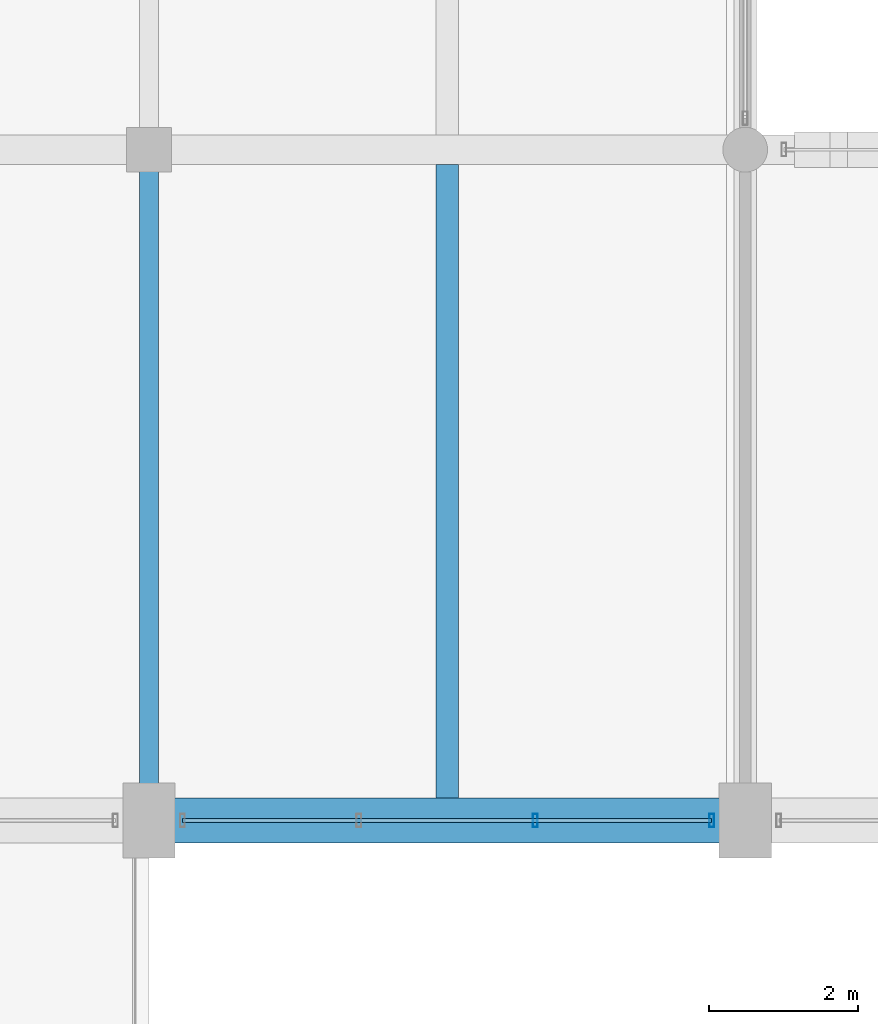
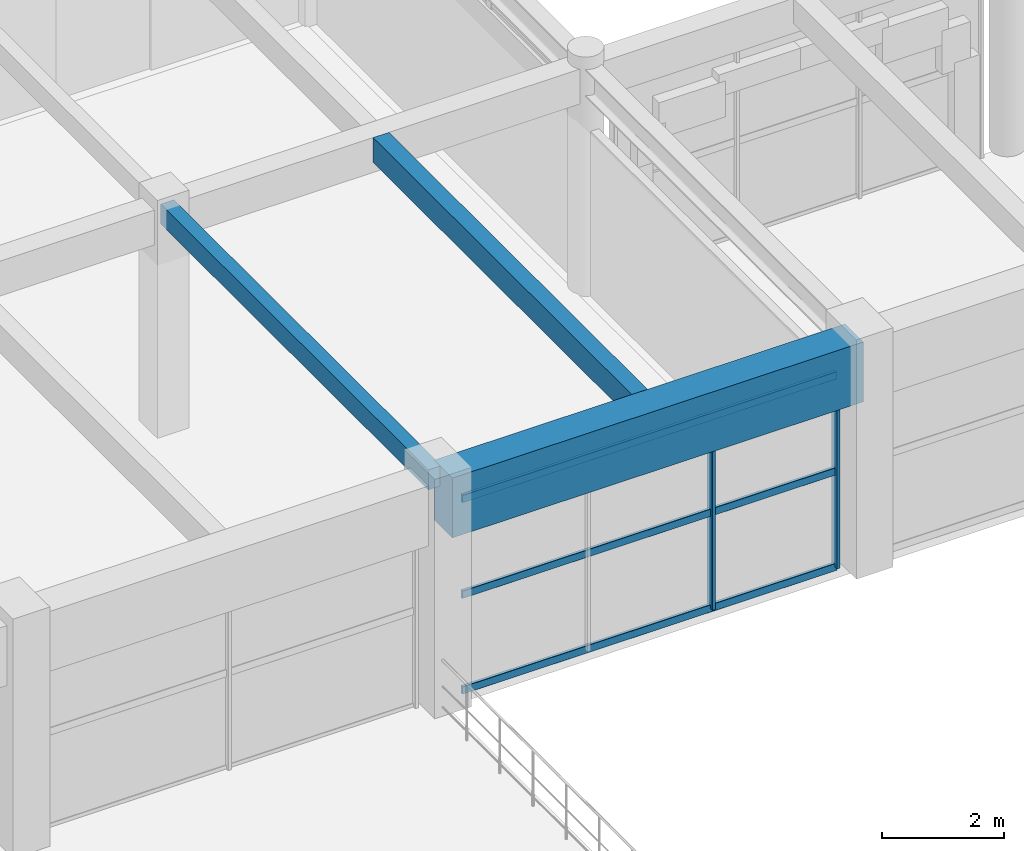
# One storey, part 42 of 144: 5 members, 3 beams, 1 element without a shape of its own.
"""IFC4 building model written with IfcOpenShell, lengths in metres."""

from ifc_helpers import new_model, si_unit, direction, frame, origin, origin_2d, place, context, subcontext, project, spatial, rectangle, hollow_rectangle, extrude, material, material_profile, profile_set, type_object, element, aggregate, save


model = new_model("IFC4")

# Units and contexts
model_context = context("Model", 3, precision=1e-05, world=origin(), true_north=direction((0.0, 1.0)))
body_context = subcontext(model_context, "Body", "Model", "MODEL_VIEW")
ifc_project = project(units=[si_unit("LENGTHUNIT", "METRE"), si_unit("AREAUNIT", "SQUARE_METRE"), si_unit("VOLUMEUNIT", "CUBIC_METRE"), si_unit("PLANEANGLEUNIT", "RADIAN"), si_unit("MASSUNIT", "GRAM", prefix="KILO")], contexts=[model_context])

# Site, building, storey
site_placement = place(None, origin())
site = spatial("IfcSite", under=ifc_project, at=site_placement, CompositionType="ELEMENT")
building_placement = place(site_placement, origin())
building = spatial("IfcBuilding", under=site, at=building_placement, Name="Varnabhumi Central Station", CompositionType="ELEMENT")
storey_placement = place(building_placement, frame((0.0, 0.0, 4.800048828125)))
storey = spatial("IfcBuildingStorey", under=building, at=storey_placement, Name="L01", CompositionType="ELEMENT", Elevation=4.800048828125)

# Beams
ifc_material_1 = material(Name="Concrete M50", Category="concrete")
ifc_material_profile_1 = material_profile(ifc_material_1, rectangle(XDim=0.60009765625, YDim=1.199951171875, at=origin_2d()), Name="Concrete M50", Category="concrete")
ifc_profile_set_1 = profile_set([ifc_material_profile_1], Name="Concrete M50")
beam_type_1 = type_object("IfcBeamType", Name="BM-RC-1200x600", PredefinedType="BEAM", material=ifc_profile_set_1)
beam_1_placement = place(storey_placement, frame((40.10009765625, 80.0, 3.949951171875), z_axis=(1.0, 0.0, 0.0), x_axis=(0.0, 1.0, 0.0)))
element("IfcBeam", 1, at=beam_1_placement, inside=storey, type_object=beam_type_1, Name="Beam L01-K:6-7", PredefinedType="BEAM", context=body_context, shape_type="SweptSolid", body=[
    extrude(rectangle(XDim=0.60009765625, YDim=1.199951171875, at=origin_2d()), origin(), (0.0, 0.0, 1.0), 7.7998046875),
])
ifc_material_2 = material(Name="Concrete M35", Category="concrete")
ifc_material_profile_2 = material_profile(ifc_material_2, rectangle(XDim=0.25, YDim=0.39990234375, at=origin_2d()), Name="Concrete M35", Category="concrete")
ifc_profile_set_2 = profile_set([ifc_material_profile_2], Name="Concrete M35")
beam_type_2 = type_object("IfcBeamType", Name="BM-RC-250x400", PredefinedType="LINTEL", material=ifc_profile_set_2)
beam_2_placement = place(storey_placement, frame((40.0, 80.10009765625, 4.349853515625), z_axis=(0.0, 1.0, 0.0), x_axis=(-1.0, 0.0, 0.0)))
element("IfcBeam", 2, at=beam_2_placement, inside=storey, type_object=beam_type_2, Name="Beam L01-6:K-L", PredefinedType="LINTEL", context=body_context, shape_type="SweptSolid", body=[
    extrude(rectangle(XDim=0.25, YDim=0.39990234375, at=origin_2d()), origin(), (0.0, 0.0, 1.0), 8.7998046875),
])
ifc_material_3 = material(Name="Concrete M40", Category="concrete")
ifc_material_profile_3 = material_profile(ifc_material_3, rectangle(XDim=0.300048828125, YDim=0.5, at=origin_2d()), Name="Concrete M40", Category="concrete")
ifc_profile_set_3 = profile_set([ifc_material_profile_3], Name="Concrete M40")
beam_type_3 = type_object("IfcBeamType", Name="BM-RC-300x500", PredefinedType="JOIST", material=ifc_profile_set_3)
beam_3_placement = place(storey_placement, frame((44.0, 80.300048828125, 4.300048828125), z_axis=(0.0, 1.0, 0.0), x_axis=(-1.0, 0.0, 0.0)))
element("IfcBeam", 3, at=beam_3_placement, inside=storey, type_object=beam_type_3, Name="Secondary Joist L01-6/7:K-L", PredefinedType="JOIST", context=body_context, shape_type="SweptSolid", body=[
    extrude(rectangle(XDim=0.300048828125, YDim=0.5, at=origin_2d()), origin(), (0.0, 0.0, 1.0), 8.5),
])

# Curtain wall, members
ifc_material_4 = material(Name="Anodised aluminium 6063-T6", Category="aluminium")
curtain_wall_type = type_object("IfcCurtainWallType", Name="CW-STREET-PORTAL", PredefinedType="NOTDEFINED", material=ifc_material_4)
curtain_wall_placement = place(storey_placement, origin())
curtain_wall = element("IfcCurtainWall", 4, at=curtain_wall_placement, inside=storey, type_object=curtain_wall_type, Name="Curtain Wall CW-NSP105", PredefinedType="NOTDEFINED")
ifc_material_profile_4 = material_profile(ifc_material_4, hollow_rectangle(XDim=0.06494140625, YDim=0.179931640625, WallThickness=0.00390625, InnerFilletRadius=0.001953125, OuterFilletRadius=0.006103515625, at=origin_2d()), Name="Anodised aluminium 6063-T6", Category="aluminium")
ifc_profile_set_4 = profile_set([ifc_material_profile_4], Name="Anodised aluminium 6063-T6")
member_type_1 = type_object("IfcMemberType", Name="CW-MUL-180", PredefinedType="MULLION", material=ifc_profile_set_4)
member_1_placement = place(storey_placement, frame((45.183349609375, 80.0, 0.0), z_axis=(0.0, 0.0, 1.0), x_axis=(1.0, 0.0, 0.0)))
member_1 = element("IfcMember", 5, at=member_1_placement, type_object=member_type_1, Name="Curtain Wall Mullion CW-NSP105-M3", PredefinedType="MULLION", context=body_context, shape_type="SweptSolid", body=[
    extrude(hollow_rectangle(XDim=0.06494140625, YDim=0.179931640625, WallThickness=0.00390625, InnerFilletRadius=0.001953125, OuterFilletRadius=0.006103515625, at=origin_2d()), origin(), (0.0, 0.0, 1.0), 3.83984375),
])
member_2_placement = place(storey_placement, frame((47.550048828125, 80.0, 0.0), z_axis=(0.0, 0.0, 1.0), x_axis=(1.0, 0.0, 0.0)))
member_2 = element("IfcMember", 6, at=member_2_placement, type_object=member_type_1, Name="Curtain Wall Mullion CW-NSP105-M4", PredefinedType="MULLION", context=body_context, shape_type="SweptSolid", body=[
    extrude(hollow_rectangle(XDim=0.06494140625, YDim=0.179931640625, WallThickness=0.00390625, InnerFilletRadius=0.001953125, OuterFilletRadius=0.006103515625, at=origin_2d()), origin(), (0.0, 0.0, 1.0), 3.83984375),
])
ifc_material_profile_5 = material_profile(ifc_material_4, hollow_rectangle(XDim=0.06005859375, YDim=0.14990234375, WallThickness=0.00390625, InnerFilletRadius=0.001953125, OuterFilletRadius=0.006103515625, at=origin_2d()), Name="Anodised aluminium 6063-T6", Category="aluminium")
ifc_profile_set_5 = profile_set([ifc_material_profile_5], Name="Anodised aluminium 6063-T6")
member_type_2 = type_object("IfcMemberType", Name="CW-TR-150", PredefinedType="USERDEFINED", material=ifc_profile_set_5)
member_3_placement = place(storey_placement, frame((40.449951171875, 80.0, 0.0), z_axis=(1.0, 0.0, 0.0), x_axis=(0.0, 1.0, 0.0)))
member_3 = element("IfcMember", 7, at=member_3_placement, type_object=member_type_2, Name="Curtain Wall Transom CW-NSP105-T1", ObjectType="TRANSOM", PredefinedType="USERDEFINED", context=body_context, shape_type="SweptSolid", body=[
    extrude(hollow_rectangle(XDim=0.06005859375, YDim=0.14990234375, WallThickness=0.00390625, InnerFilletRadius=0.001953125, OuterFilletRadius=0.006103515625, at=origin_2d()), origin(), (0.0, 0.0, 1.0), 7.10009765625),
])
member_4_placement = place(storey_placement, frame((40.449951171875, 80.0, 1.919921875), z_axis=(1.0, 0.0, 0.0), x_axis=(0.0, 1.0, 0.0)))
member_4 = element("IfcMember", 8, at=member_4_placement, type_object=member_type_2, Name="Curtain Wall Transom CW-NSP105-T2", ObjectType="TRANSOM", PredefinedType="USERDEFINED", context=body_context, shape_type="SweptSolid", body=[
    extrude(hollow_rectangle(XDim=0.06005859375, YDim=0.14990234375, WallThickness=0.00390625, InnerFilletRadius=0.001953125, OuterFilletRadius=0.006103515625, at=origin_2d()), origin(), (0.0, 0.0, 1.0), 7.10009765625),
])
member_5_placement = place(storey_placement, frame((40.449951171875, 80.0, 3.83984375), z_axis=(1.0, 0.0, 0.0), x_axis=(0.0, 1.0, 0.0)))
member_5 = element("IfcMember", 9, at=member_5_placement, type_object=member_type_2, Name="Curtain Wall Transom CW-NSP105-T3", ObjectType="TRANSOM", PredefinedType="USERDEFINED", context=body_context, shape_type="SweptSolid", body=[
    extrude(hollow_rectangle(XDim=0.06005859375, YDim=0.14990234375, WallThickness=0.00390625, InnerFilletRadius=0.001953125, OuterFilletRadius=0.006103515625, at=origin_2d()), origin(), (0.0, 0.0, 1.0), 7.10009765625),
])
aggregate(curtain_wall, [member_1, member_2, member_3, member_4, member_5])

save(model, "model.ifc")
